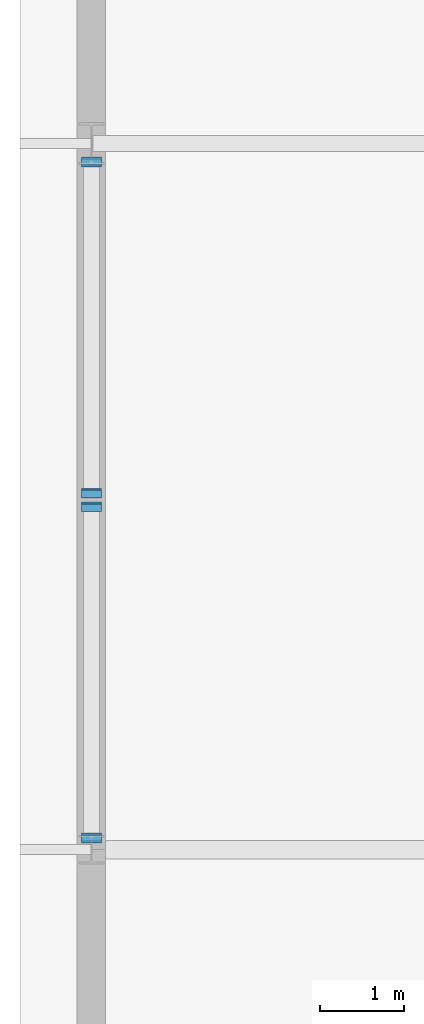
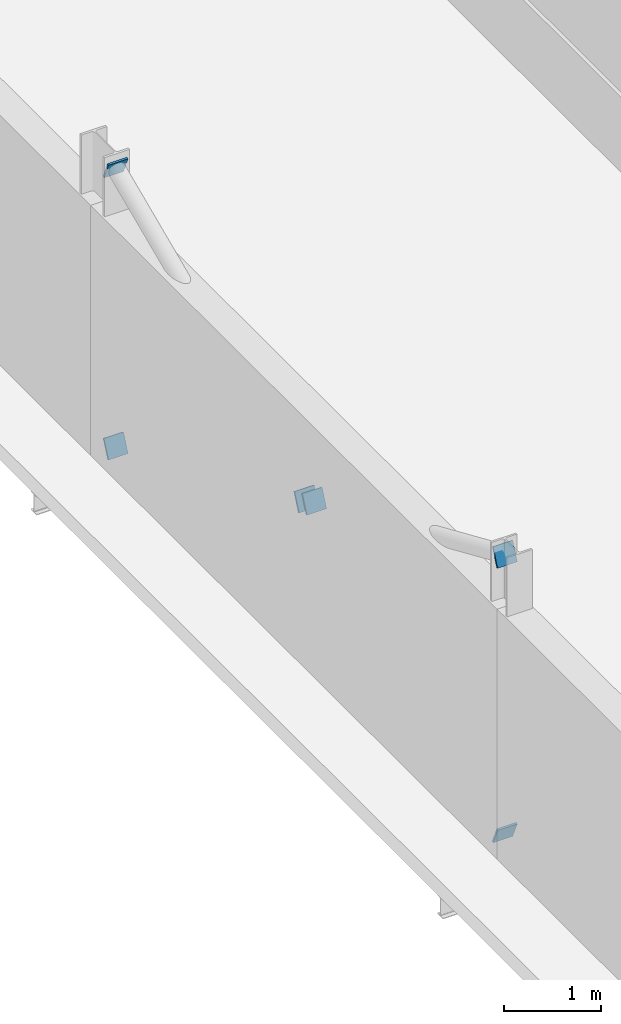
# One storey, part 37 of 49: 6 plates.
"""IFC4 building model written with IfcOpenShell, lengths in metres."""

import ifcopenshell
import ifcopenshell.guid

model = None  # the IFC model being written
_history = None  # IfcOwnerHistory: only IFC2X3 demands one
_inside = {}  # id of a spatial element -> (the spatial element, [elements in it])
_under = {}  # id of a project, library or spatial element -> (it, [spatial elements below it])
_declared = {}  # id of a project -> (the project, [libraries it declares])
_typed = {}  # id of a type object -> (the type object, [elements of that type])
_made_of = {}  # id of a material, layer set ... -> (it, [elements and type objects made of it])


def new_model(schema):
    """Start an empty IFC model of exactly this schema.

    Asked for "IFC4X3", IfcOpenShell would pick the latest addendum, in which some entities
    have other attributes; the version numbers below select the first issue.
    IFC2X3 requires an IfcOwnerHistory on every rooted entity: one is made here for all.
    """
    global model, _history
    if schema == "IFC4X3":
        model = ifcopenshell.file(schema_version=(4, 3, 0, 0))
    else:
        model = ifcopenshell.file(schema=schema)
    _inside.clear()
    _under.clear()
    _declared.clear()
    _typed.clear()
    _made_of.clear()
    _history = None
    if model.schema == "IFC2X3":
        org = make("IfcOrganization", Name="unknown")
        user = make(
            "IfcPersonAndOrganization",
            ThePerson=make("IfcPerson", FamilyName="unknown"),
            TheOrganization=org,
        )
        app = make(
            "IfcApplication",
            ApplicationDeveloper=org,
            Version="unknown",
            ApplicationFullName="unknown",
            ApplicationIdentifier="unknown",
        )
        _history = make(
            "IfcOwnerHistory",
            OwningUser=user,
            OwningApplication=app,
            ChangeAction="ADDED",
            CreationDate=0,
        )
    return model


def make(cls, **values):
    """One entity of the class cls with the attributes given. An attribute that is None is left unset."""
    return model.create_entity(
        cls, **{name: value for name, value in values.items() if value is not None}
    )


def rooted(cls, **values):
    """An entity with a GlobalId (a new one), such as an element, a storey or a relation."""
    return make(cls, GlobalId=ifcopenshell.guid.new(), OwnerHistory=_history, **values)


def si_unit(unit_type, name, prefix=None):
    """IfcSIUnit, for example si_unit("LENGTHUNIT", "METRE", prefix="MILLI")."""
    return make("IfcSIUnit", UnitType=unit_type, Prefix=prefix, Name=name)


def assignment(units):
    """IfcUnitAssignment: the units of a project."""
    return None if units is None else make("IfcUnitAssignment", Units=units)


def point(xyz):
    """IfcCartesianPoint."""
    return None if xyz is None else make("IfcCartesianPoint", Coordinates=xyz)


def direction(xyz):
    """IfcDirection."""
    return None if xyz is None else make("IfcDirection", DirectionRatios=xyz)


def frame(location, z_axis=None, x_axis=None):
    """IfcAxis2Placement3D, a coordinate frame: its origin and axes. An axis left out is left unset."""
    return make(
        "IfcAxis2Placement3D",
        Location=point(location),
        Axis=direction(z_axis),
        RefDirection=direction(x_axis),
    )


def frame_2d(location, x_axis=None):
    """IfcAxis2Placement2D, a coordinate frame in the plane: its origin and x axis."""
    return make(
        "IfcAxis2Placement2D", Location=point(location), RefDirection=direction(x_axis)
    )


def origin():
    """The frame at (0, 0, 0) with its axes left unset."""
    return frame((0.0, 0.0, 0.0))


def origin_2d():
    """The frame at (0, 0) in the plane with its x axis left unset."""
    return frame_2d((0.0, 0.0))


def place(relative_to, where):
    """IfcLocalPlacement: puts the frame where relative to a parent placement (None: the world)."""
    return make(
        "IfcLocalPlacement", PlacementRelTo=relative_to, RelativePlacement=where
    )


def context(
    kind, dimensions, precision=None, world=None, true_north=None, identifier=None
):
    """IfcGeometricRepresentationContext, for example the 3D "Model" context."""
    return make(
        "IfcGeometricRepresentationContext",
        ContextIdentifier=identifier,
        ContextType=kind,
        CoordinateSpaceDimension=dimensions,
        Precision=precision,
        WorldCoordinateSystem=world,
        TrueNorth=true_north,
    )


def subcontext(parent, identifier, kind, view, scale=None):
    """IfcGeometricRepresentationSubContext, for example "Body" below "Model"."""
    return make(
        "IfcGeometricRepresentationSubContext",
        ContextIdentifier=identifier,
        ContextType=kind,
        ParentContext=parent,
        TargetScale=scale,
        TargetView=view,
    )


def project(units=None, contexts=None):
    """IfcProject with its units and contexts."""
    return rooted(
        "IfcProject",
        Name="project",
        RepresentationContexts=contexts,
        UnitsInContext=assignment(units),
    )


def spatial(cls, under=None, at=None, **own):
    """A site, building, storey or space (cls), placed at a placement, below another one or the project."""
    s = rooted(cls, ObjectPlacement=at, **own)
    if under is not None:
        _under.setdefault(under.id(), (under, []))[1].append(s)
    return s


def profile(cls, at=None, kind="AREA", **sizes):
    """A parametric profile (cls). Its sizes go by their IFC names, for example OverallWidth=200.0."""
    return make(cls, ProfileType=kind, Position=at, **sizes)


def rectangle(**sizes):
    """IfcRectangleProfileDef."""
    return profile("IfcRectangleProfileDef", **sizes)


def extrude(swept, where, along, depth):
    """IfcExtrudedAreaSolid: the profile swept, set in the frame where, extruded along a direction by depth."""
    return make(
        "IfcExtrudedAreaSolid",
        SweptArea=swept,
        Position=where,
        ExtrudedDirection=direction(along),
        Depth=depth,
    )


def shape(context_of_items, identifier, shape_type, items):
    """IfcShapeRepresentation: the items that make up one representation, for example the "Body"."""
    return make(
        "IfcShapeRepresentation",
        ContextOfItems=context_of_items,
        RepresentationIdentifier=identifier,
        RepresentationType=shape_type,
        Items=items,
    )


def material(Name=None, Category=None):
    """IfcMaterial."""
    return make("IfcMaterial", Name=Name, Category=Category)


def material_profile(
    of_material, cross_section, Name=None, Category=None, Priority=None
):
    """IfcMaterialProfile: a cross section and its material."""
    return make(
        "IfcMaterialProfile",
        Name=Name,
        Material=of_material,
        Profile=cross_section,
        Priority=Priority,
        Category=Category,
    )


def profile_set(profiles, Name=None, composite=None):
    """IfcMaterialProfileSet."""
    return make(
        "IfcMaterialProfileSet",
        Name=Name,
        MaterialProfiles=profiles,
        CompositeProfile=composite,
    )


def made_of(thing, what):
    """Note that an element or type object is made of a material, layer set ...; save() writes the relation."""
    if what is not None:
        _made_of.setdefault(what.id(), (what, []))[1].append(thing)
    return thing


def type_object(cls, material=None, **own):
    """A type object (cls), such as IfcWallType, which elements share."""
    return made_of(rooted(cls, **own), material)


def element(
    cls,
    number,
    at=None,
    inside=None,
    cuts=None,
    type_object=None,
    material=None,
    context=None,
    identifier="Body",
    shape_type=None,
    held_by="IfcProductDefinitionShape",
    body=None,
    shapes=None,
    **own,
):
    """One element of the class cls, such as IfcWall. Its Tag is "e" and its number.

    at: its placement. inside: the storey or other place that contains it. cuts: it is an
    opening in that element (IfcRelVoidsElement). A single representation is given by context,
    identifier, shape_type and body (its items); several are given by shapes. held_by: the class
    of the entity that holds the representations. save() writes the other relations.
    """
    e = rooted(cls, Tag="e%d" % number, ObjectPlacement=at, **own)
    if body is not None:
        shapes = [shape(context, identifier, shape_type, body)]
    if shapes is not None:
        e.Representation = make(held_by, Representations=shapes)
    if inside is not None:
        _inside.setdefault(inside.id(), (inside, []))[1].append(e)
    if cuts is not None:
        rooted(
            "IfcRelVoidsElement", RelatingBuildingElement=cuts, RelatedOpeningElement=e
        )
    if type_object is not None:
        _typed.setdefault(type_object.id(), (type_object, []))[1].append(e)
    return made_of(e, material)


def aggregate(whole, parts):
    """IfcRelAggregates: a whole, such as a stair, and the parts it consists of."""
    return rooted("IfcRelAggregates", RelatingObject=whole, RelatedObjects=parts)


def save(model, path):
    """Write the relations noted so far, then the file.

    IfcRelAggregates (storeys below a building ...), IfcRelContainedInSpatialStructure (elements
    in a storey), IfcRelDefinesByType, IfcRelAssociatesMaterial and IfcRelDeclares: one each for
    every whole, place, type object, material and project.
    """
    for whole, parts in _under.values():
        aggregate(whole, parts)
    for where, things in _inside.values():
        rooted(
            "IfcRelContainedInSpatialStructure",
            RelatedElements=things,
            RelatingStructure=where,
        )
    for kind, things in _typed.values():
        rooted("IfcRelDefinesByType", RelatedObjects=things, RelatingType=kind)
    for what, things in _made_of.values():
        rooted("IfcRelAssociatesMaterial", RelatedObjects=things, RelatingMaterial=what)
    for by, libraries in _declared.values():
        rooted("IfcRelDeclares", RelatingContext=by, RelatedDefinitions=libraries)
    model.write(path)


model = new_model("IFC4")

# Units and contexts
model_context = context("Model", 3, precision=1e-05, world=origin(), true_north=direction((0.0, 1.0)))
body_context = subcontext(model_context, "Body", "Model", "MODEL_VIEW")
ifc_project = project(units=[si_unit("LENGTHUNIT", "METRE"), si_unit("AREAUNIT", "SQUARE_METRE"), si_unit("VOLUMEUNIT", "CUBIC_METRE"), si_unit("PLANEANGLEUNIT", "RADIAN"), si_unit("MASSUNIT", "GRAM", prefix="KILO")], contexts=[model_context])

# Site, building, storey
site_placement = place(None, origin())
site = spatial("IfcSite", under=ifc_project, at=site_placement, CompositionType="ELEMENT")
building_placement = place(site_placement, origin())
building = spatial("IfcBuilding", under=site, at=building_placement, Name="Vinh Khe Railworks Police Headquarters", CompositionType="ELEMENT")
storey_placement = place(building_placement, frame((0.0, 0.0, 17.10009765625)))
storey = spatial("IfcBuildingStorey", under=building, at=storey_placement, Name="L04", CompositionType="ELEMENT", Elevation=17.10009765625)

# Plates
ifc_material = material(Name="Steel S355JR", Category="steel")
ifc_material_profile = material_profile(ifc_material, rectangle(XDim=0.23388671875, YDim=0.23388671875, at=origin_2d()), Name="PL 234x234")
ifc_profile_set = profile_set([ifc_material_profile], Name="Steel S355JR")
plate_type = type_object("IfcPlateType", Name="Steel End-Cap Plate 234x234x24", PredefinedType="SHEET", material=ifc_profile_set)
for number, where, z_axis, x_axis, name in (
    (1, (0.60009765625, 96.14990234375, 0.199951171875), (0.0, -0.91381154862, -0.406138466053), (1.0, 0.0, 0.0), "End-Cap Gusset Plate PLT-EP-0049"),
    (2, (0.60009765625, 96.14990234375, 3.699951171875), (0.0, -0.91755562531, 0.397607437634), (1.0, 0.0, 0.0), "End-Cap Gusset Plate PLT-EP-0050"),
    (3, (0.60009765625, 100.067626953125, 1.990234375), (0.0, 0.91755562531, -0.397607437634), (-1.0, 0.0, 0.0), "End-Cap Gusset Plate PLT-EP-0065"),
    (4, (0.60009765625, 100.252197265625, 1.90966796875), (0.0, -0.91755562531, 0.397607437634), (1.0, 0.0, 0.0), "End-Cap Gusset Plate PLT-EP-0073"),
    (5, (0.60009765625, 104.169921875, 0.199951171875), (0.0, 0.91381154862, -0.406138466053), (-1.0, 0.0, 0.0), "End-Cap Gusset Plate PLT-EP-0085"),
    (6, (0.60009765625, 104.169921875, 3.699951171875), (0.0, 0.91755562531, 0.397607437634), (-1.0, 0.0, 0.0), "End-Cap Gusset Plate PLT-EP-0086"),
):
    element("IfcPlate", number, at=place(storey_placement, frame(where, z_axis=z_axis, x_axis=x_axis)), inside=storey, type_object=plate_type, Name=name, PredefinedType="SHEET", context=body_context, shape_type="SweptSolid", body=[
        extrude(rectangle(XDim=0.23388671875, YDim=0.23388671875, at=origin_2d()), origin(), (0.0, 0.0, 1.0), 0.02392578125),
    ])

save(model, "model.ifc")
